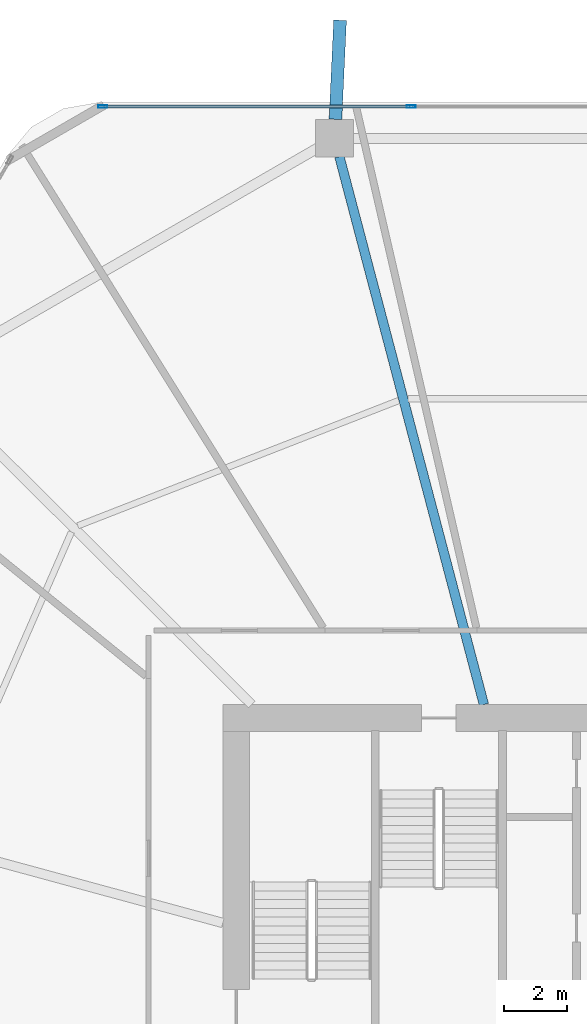
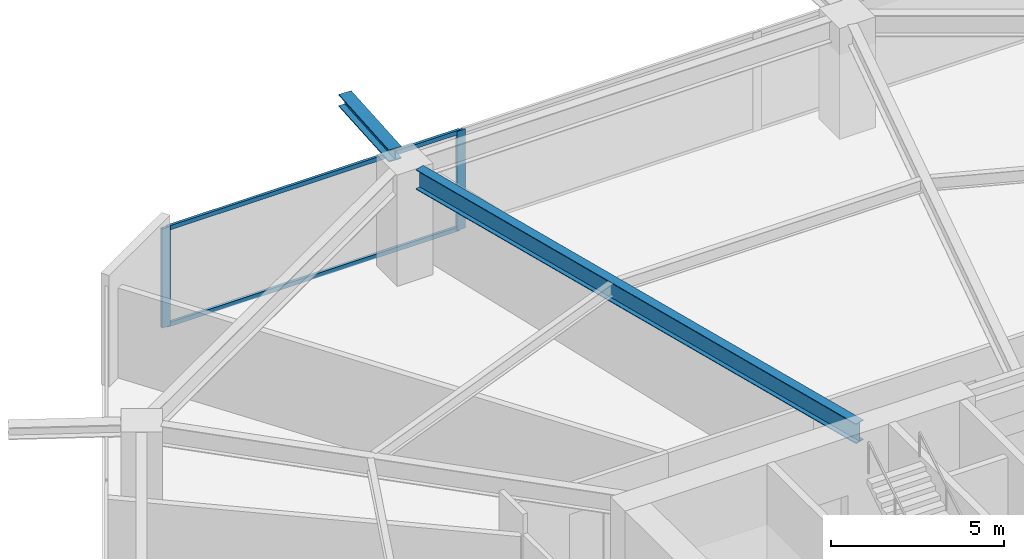
# One storey, part 15 of 26: 4 members, 2 beams, 1 element without a shape of its own.
"""IFC4 building model written with IfcOpenShell, lengths in metres."""

import ifcopenshell
import ifcopenshell.guid

model = None  # the IFC model being written
_history = None  # IfcOwnerHistory: only IFC2X3 demands one
_inside = {}  # id of a spatial element -> (the spatial element, [elements in it])
_under = {}  # id of a project, library or spatial element -> (it, [spatial elements below it])
_declared = {}  # id of a project -> (the project, [libraries it declares])
_typed = {}  # id of a type object -> (the type object, [elements of that type])
_made_of = {}  # id of a material, layer set ... -> (it, [elements and type objects made of it])


def new_model(schema):
    """Start an empty IFC model of exactly this schema.

    Asked for "IFC4X3", IfcOpenShell would pick the latest addendum, in which some entities
    have other attributes; the version numbers below select the first issue.
    IFC2X3 requires an IfcOwnerHistory on every rooted entity: one is made here for all.
    """
    global model, _history
    if schema == "IFC4X3":
        model = ifcopenshell.file(schema_version=(4, 3, 0, 0))
    else:
        model = ifcopenshell.file(schema=schema)
    _inside.clear()
    _under.clear()
    _declared.clear()
    _typed.clear()
    _made_of.clear()
    _history = None
    if model.schema == "IFC2X3":
        org = make("IfcOrganization", Name="unknown")
        user = make(
            "IfcPersonAndOrganization",
            ThePerson=make("IfcPerson", FamilyName="unknown"),
            TheOrganization=org,
        )
        app = make(
            "IfcApplication",
            ApplicationDeveloper=org,
            Version="unknown",
            ApplicationFullName="unknown",
            ApplicationIdentifier="unknown",
        )
        _history = make(
            "IfcOwnerHistory",
            OwningUser=user,
            OwningApplication=app,
            ChangeAction="ADDED",
            CreationDate=0,
        )
    return model


def make(cls, **values):
    """One entity of the class cls with the attributes given. An attribute that is None is left unset."""
    return model.create_entity(
        cls, **{name: value for name, value in values.items() if value is not None}
    )


def rooted(cls, **values):
    """An entity with a GlobalId (a new one), such as an element, a storey or a relation."""
    return make(cls, GlobalId=ifcopenshell.guid.new(), OwnerHistory=_history, **values)


def si_unit(unit_type, name, prefix=None):
    """IfcSIUnit, for example si_unit("LENGTHUNIT", "METRE", prefix="MILLI")."""
    return make("IfcSIUnit", UnitType=unit_type, Prefix=prefix, Name=name)


def assignment(units):
    """IfcUnitAssignment: the units of a project."""
    return None if units is None else make("IfcUnitAssignment", Units=units)


def point(xyz):
    """IfcCartesianPoint."""
    return None if xyz is None else make("IfcCartesianPoint", Coordinates=xyz)


def direction(xyz):
    """IfcDirection."""
    return None if xyz is None else make("IfcDirection", DirectionRatios=xyz)


def frame(location, z_axis=None, x_axis=None):
    """IfcAxis2Placement3D, a coordinate frame: its origin and axes. An axis left out is left unset."""
    return make(
        "IfcAxis2Placement3D",
        Location=point(location),
        Axis=direction(z_axis),
        RefDirection=direction(x_axis),
    )


def frame_2d(location, x_axis=None):
    """IfcAxis2Placement2D, a coordinate frame in the plane: its origin and x axis."""
    return make(
        "IfcAxis2Placement2D", Location=point(location), RefDirection=direction(x_axis)
    )


def origin():
    """The frame at (0, 0, 0) with its axes left unset."""
    return frame((0.0, 0.0, 0.0))


def origin_2d():
    """The frame at (0, 0) in the plane with its x axis left unset."""
    return frame_2d((0.0, 0.0))


def place(relative_to, where):
    """IfcLocalPlacement: puts the frame where relative to a parent placement (None: the world)."""
    return make(
        "IfcLocalPlacement", PlacementRelTo=relative_to, RelativePlacement=where
    )


def context(
    kind, dimensions, precision=None, world=None, true_north=None, identifier=None
):
    """IfcGeometricRepresentationContext, for example the 3D "Model" context."""
    return make(
        "IfcGeometricRepresentationContext",
        ContextIdentifier=identifier,
        ContextType=kind,
        CoordinateSpaceDimension=dimensions,
        Precision=precision,
        WorldCoordinateSystem=world,
        TrueNorth=true_north,
    )


def subcontext(parent, identifier, kind, view, scale=None):
    """IfcGeometricRepresentationSubContext, for example "Body" below "Model"."""
    return make(
        "IfcGeometricRepresentationSubContext",
        ContextIdentifier=identifier,
        ContextType=kind,
        ParentContext=parent,
        TargetScale=scale,
        TargetView=view,
    )


def project(units=None, contexts=None):
    """IfcProject with its units and contexts."""
    return rooted(
        "IfcProject",
        Name="project",
        RepresentationContexts=contexts,
        UnitsInContext=assignment(units),
    )


def spatial(cls, under=None, at=None, **own):
    """A site, building, storey or space (cls), placed at a placement, below another one or the project."""
    s = rooted(cls, ObjectPlacement=at, **own)
    if under is not None:
        _under.setdefault(under.id(), (under, []))[1].append(s)
    return s


def profile(cls, at=None, kind="AREA", **sizes):
    """A parametric profile (cls). Its sizes go by their IFC names, for example OverallWidth=200.0."""
    return make(cls, ProfileType=kind, Position=at, **sizes)


def hollow_rectangle(**sizes):
    """IfcRectangleHollowProfileDef."""
    return profile("IfcRectangleHollowProfileDef", **sizes)


def i_section(**sizes):
    """IfcIShapeProfileDef."""
    return profile("IfcIShapeProfileDef", **sizes)


def extrude(swept, where, along, depth):
    """IfcExtrudedAreaSolid: the profile swept, set in the frame where, extruded along a direction by depth."""
    return make(
        "IfcExtrudedAreaSolid",
        SweptArea=swept,
        Position=where,
        ExtrudedDirection=direction(along),
        Depth=depth,
    )


def shape(context_of_items, identifier, shape_type, items):
    """IfcShapeRepresentation: the items that make up one representation, for example the "Body"."""
    return make(
        "IfcShapeRepresentation",
        ContextOfItems=context_of_items,
        RepresentationIdentifier=identifier,
        RepresentationType=shape_type,
        Items=items,
    )


def material(Name=None, Category=None):
    """IfcMaterial."""
    return make("IfcMaterial", Name=Name, Category=Category)


def material_profile(
    of_material, cross_section, Name=None, Category=None, Priority=None
):
    """IfcMaterialProfile: a cross section and its material."""
    return make(
        "IfcMaterialProfile",
        Name=Name,
        Material=of_material,
        Profile=cross_section,
        Priority=Priority,
        Category=Category,
    )


def profile_set(profiles, Name=None, composite=None):
    """IfcMaterialProfileSet."""
    return make(
        "IfcMaterialProfileSet",
        Name=Name,
        MaterialProfiles=profiles,
        CompositeProfile=composite,
    )


def made_of(thing, what):
    """Note that an element or type object is made of a material, layer set ...; save() writes the relation."""
    if what is not None:
        _made_of.setdefault(what.id(), (what, []))[1].append(thing)
    return thing


def type_object(cls, material=None, **own):
    """A type object (cls), such as IfcWallType, which elements share."""
    return made_of(rooted(cls, **own), material)


def element(
    cls,
    number,
    at=None,
    inside=None,
    cuts=None,
    type_object=None,
    material=None,
    context=None,
    identifier="Body",
    shape_type=None,
    held_by="IfcProductDefinitionShape",
    body=None,
    shapes=None,
    **own,
):
    """One element of the class cls, such as IfcWall. Its Tag is "e" and its number.

    at: its placement. inside: the storey or other place that contains it. cuts: it is an
    opening in that element (IfcRelVoidsElement). A single representation is given by context,
    identifier, shape_type and body (its items); several are given by shapes. held_by: the class
    of the entity that holds the representations. save() writes the other relations.
    """
    e = rooted(cls, Tag="e%d" % number, ObjectPlacement=at, **own)
    if body is not None:
        shapes = [shape(context, identifier, shape_type, body)]
    if shapes is not None:
        e.Representation = make(held_by, Representations=shapes)
    if inside is not None:
        _inside.setdefault(inside.id(), (inside, []))[1].append(e)
    if cuts is not None:
        rooted(
            "IfcRelVoidsElement", RelatingBuildingElement=cuts, RelatedOpeningElement=e
        )
    if type_object is not None:
        _typed.setdefault(type_object.id(), (type_object, []))[1].append(e)
    return made_of(e, material)


def aggregate(whole, parts):
    """IfcRelAggregates: a whole, such as a stair, and the parts it consists of."""
    return rooted("IfcRelAggregates", RelatingObject=whole, RelatedObjects=parts)


def save(model, path):
    """Write the relations noted so far, then the file.

    IfcRelAggregates (storeys below a building ...), IfcRelContainedInSpatialStructure (elements
    in a storey), IfcRelDefinesByType, IfcRelAssociatesMaterial and IfcRelDeclares: one each for
    every whole, place, type object, material and project.
    """
    for whole, parts in _under.values():
        aggregate(whole, parts)
    for where, things in _inside.values():
        rooted(
            "IfcRelContainedInSpatialStructure",
            RelatedElements=things,
            RelatingStructure=where,
        )
    for kind, things in _typed.values():
        rooted("IfcRelDefinesByType", RelatedObjects=things, RelatingType=kind)
    for what, things in _made_of.values():
        rooted("IfcRelAssociatesMaterial", RelatedObjects=things, RelatingMaterial=what)
    for by, libraries in _declared.values():
        rooted("IfcRelDeclares", RelatingContext=by, RelatedDefinitions=libraries)
    model.write(path)


model = new_model("IFC4")

# Units and contexts
model_context = context("Model", 3, precision=1e-05, world=origin(), true_north=direction((0.0, 1.0)))
body_context = subcontext(model_context, "Body", "Model", "MODEL_VIEW")
ifc_project = project(units=[si_unit("LENGTHUNIT", "METRE"), si_unit("AREAUNIT", "SQUARE_METRE"), si_unit("VOLUMEUNIT", "CUBIC_METRE"), si_unit("PLANEANGLEUNIT", "RADIAN"), si_unit("MASSUNIT", "GRAM", prefix="KILO")], contexts=[model_context])

# Site, building, storey
site_placement = place(None, origin())
site = spatial("IfcSite", under=ifc_project, at=site_placement, CompositionType="ELEMENT")
building_placement = place(site_placement, origin())
building = spatial("IfcBuilding", under=site, at=building_placement, Name="Zuhravey Tower", CompositionType="ELEMENT")
storey_placement = place(building_placement, frame((0.0, 0.0, 28.800048828125)))
storey = spatial("IfcBuildingStorey", under=building, at=storey_placement, Name="L07", CompositionType="ELEMENT", Elevation=28.800048828125)

# Curtain wall, members
ifc_material_1 = material(Name="Thermally broken anodised aluminium", Category="aluminium")
curtain_wall_type = type_object("IfcCurtainWallType", Name="School Low-E Unitised Curtain Wall CW1", PredefinedType="NOTDEFINED", material=ifc_material_1)
curtain_wall_placement = place(storey_placement, origin())
curtain_wall = element("IfcCurtainWall", 1, at=curtain_wall_placement, inside=storey, type_object=curtain_wall_type, Name="L07 CW1 CW-L07-F2-1", PredefinedType="NOTDEFINED")
ifc_material_2 = material(Name="Anodised aluminium", Category="aluminium")
ifc_material_profile_1 = material_profile(ifc_material_2, hollow_rectangle(XDim=0.090087890625, YDim=0.284912109375, WallThickness=0.0048828125, at=origin_2d()), Name="ALU-RHS-90x285x5")
ifc_profile_set_1 = profile_set([ifc_material_profile_1], Name="Anodised aluminium")
member_type_1 = type_object("IfcMemberType", Name="Curtain-Wall Mullion 90x180", PredefinedType="MULLION", material=ifc_profile_set_1)
member_1_placement = place(storey_placement, frame((21.24560546875, 60.95849609375, 0.0), z_axis=(0.0, 0.0, 1.0), x_axis=(0.0, 1.0, 0.0)))
member_1 = element("IfcMember", 2, at=member_1_placement, type_object=member_type_1, Name="CW1 mullion 1", PredefinedType="MULLION", context=body_context, shape_type="SweptSolid", body=[
    extrude(hollow_rectangle(XDim=0.090087890625, YDim=0.284912109375, WallThickness=0.0048828125, at=origin_2d()), origin(), (0.0, 0.0, 1.0), 3.491943359375),
])
member_2_placement = place(storey_placement, frame((31.06689453125, 60.95849609375, 0.0), z_axis=(0.0, 0.0, 1.0), x_axis=(0.0, 1.0, 0.0)))
member_2 = element("IfcMember", 3, at=member_2_placement, type_object=member_type_1, Name="CW1 mullion 2", PredefinedType="MULLION", context=body_context, shape_type="SweptSolid", body=[
    extrude(hollow_rectangle(XDim=0.090087890625, YDim=0.284912109375, WallThickness=0.0048828125, at=origin_2d()), origin(), (0.0, 0.0, 1.0), 3.491943359375),
])
ifc_material_profile_2 = material_profile(ifc_material_2, hollow_rectangle(XDim=0.090087890625, YDim=0.14990234375, WallThickness=0.0048828125, at=origin_2d()), Name="ALU-RHS-90x150x5")
ifc_profile_set_2 = profile_set([ifc_material_profile_2], Name="Anodised aluminium")
member_type_2 = type_object("IfcMemberType", Name="Curtain-Wall Transom 90x150", PredefinedType="USERDEFINED", material=ifc_profile_set_2)
member_3_placement = place(storey_placement, frame((21.29052734375, 60.95849609375, 0.044921875), z_axis=(1.0, 0.0, 0.0), x_axis=(0.0, 1.0, 0.0)))
member_3 = element("IfcMember", 4, at=member_3_placement, type_object=member_type_2, Name="CW1 transom 1.1", ObjectType="TRANSOM", PredefinedType="USERDEFINED", context=body_context, shape_type="SweptSolid", body=[
    extrude(hollow_rectangle(XDim=0.090087890625, YDim=0.14990234375, WallThickness=0.0048828125, at=origin_2d()), origin(), (0.0, 0.0, 1.0), 9.731201171875),
])
member_4_placement = place(storey_placement, frame((21.29052734375, 60.95849609375, 3.447021484375), z_axis=(1.0, 0.0, 0.0), x_axis=(0.0, 1.0, 0.0)))
member_4 = element("IfcMember", 5, at=member_4_placement, type_object=member_type_2, Name="CW1 transom 1.2", ObjectType="TRANSOM", PredefinedType="USERDEFINED", context=body_context, shape_type="SweptSolid", body=[
    extrude(hollow_rectangle(XDim=0.090087890625, YDim=0.14990234375, WallThickness=0.0048828125, at=origin_2d()), origin(), (0.0, 0.0, 1.0), 9.731201171875),
])
aggregate(curtain_wall, [member_1, member_2, member_3, member_4])

# Beams
ifc_material_3 = material(Name="Steel SM460", Category="steel")
ifc_material_profile_3 = material_profile(ifc_material_3, i_section(OverallWidth=0.406982421875, OverallDepth=0.427978515625, WebThickness=0.02001953125, FlangeThickness=0.034912109375, at=origin_2d()), Name="H-428x407x20x35")
ifc_profile_set_3 = profile_set([ifc_material_profile_3], Name="Steel SM460")
beam_type_1 = type_object("IfcBeamType", Name="Exoskeleton Node Tie Beam H428x407", PredefinedType="BEAM", material=ifc_profile_set_3)
beam_1_placement = place(storey_placement, frame((28.658203125, 60.552490234375, 3.7060546875), z_axis=(0.046667932631, 0.998910458482, 0.0), x_axis=(-0.998910458482, 0.046667932631, 0.0)))
element("IfcBeam", 6, at=beam_1_placement, inside=storey, type_object=beam_type_1, Name="L07 Exoskeleton Node Tie NT1-04", PredefinedType="BEAM", context=body_context, shape_type="SweptSolid", body=[
    extrude(i_section(OverallWidth=0.406982421875, OverallDepth=0.427978515625, WebThickness=0.02001953125, FlangeThickness=0.034912109375, at=origin_2d()), origin(), (0.0, 0.0, 1.0), 3.154541015625),
])
ifc_material_4 = material(Name="Steel SM355", Category="steel")
ifc_material_profile_4 = material_profile(ifc_material_4, i_section(OverallWidth=0.300048828125, OverallDepth=0.699951171875, WebThickness=0.012939453125, FlangeThickness=0.02392578125, at=origin_2d()), Name="H-700x300x13x24")
ifc_profile_set_4 = profile_set([ifc_material_profile_4], Name="Steel SM355")
beam_type_2 = type_object("IfcBeamType", Name="Radial Primary Girder H700x300", PredefinedType="BEAM", material=ifc_profile_set_4)
beam_2_placement = place(storey_placement, frame((33.382080078125, 41.927978515625, 3.570068359375), z_axis=(-0.254989720435, 0.966943763862, 0.0), x_axis=(-0.966943763862, -0.254989720435, 0.0)))
element("IfcBeam", 7, at=beam_2_placement, inside=storey, type_object=beam_type_2, Name="L07 RG1 BM-L07-RAD-04", PredefinedType="BEAM", context=body_context, shape_type="SweptSolid", body=[
    extrude(i_section(OverallWidth=0.300048828125, OverallDepth=0.699951171875, WebThickness=0.012939453125, FlangeThickness=0.02392578125, at=origin_2d()), origin(), (0.0, 0.0, 1.0), 18.03369140625),
])

save(model, "model.ifc")
